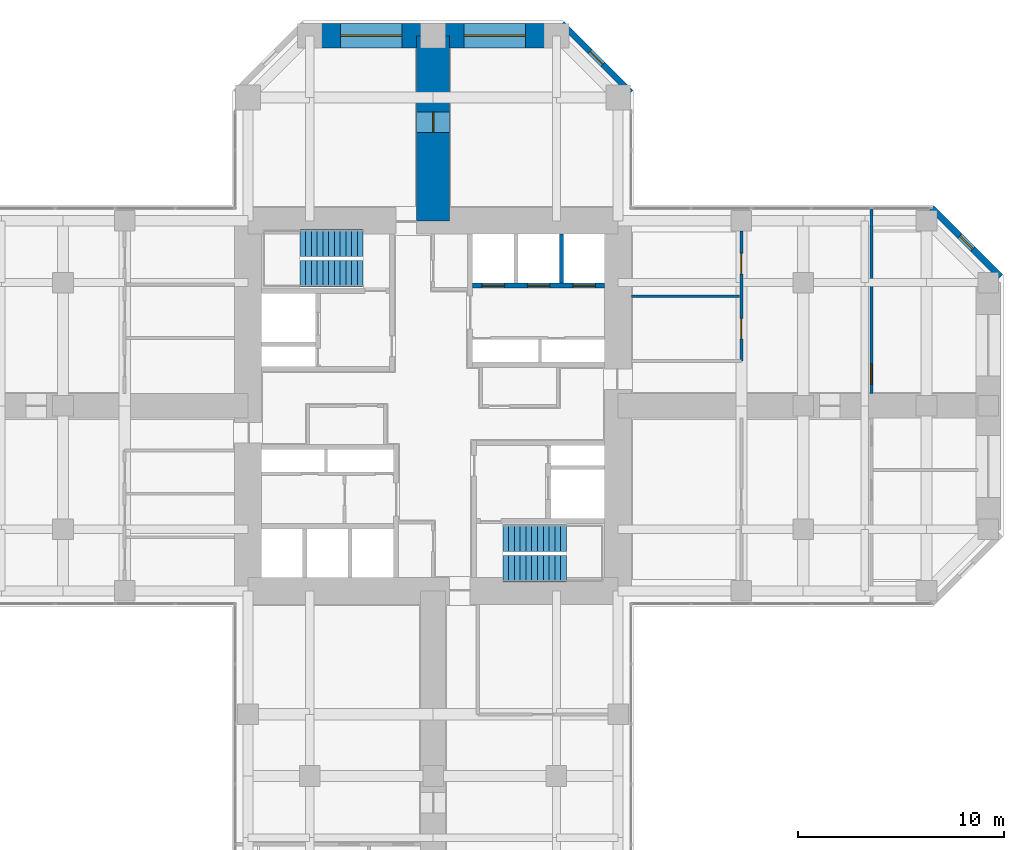
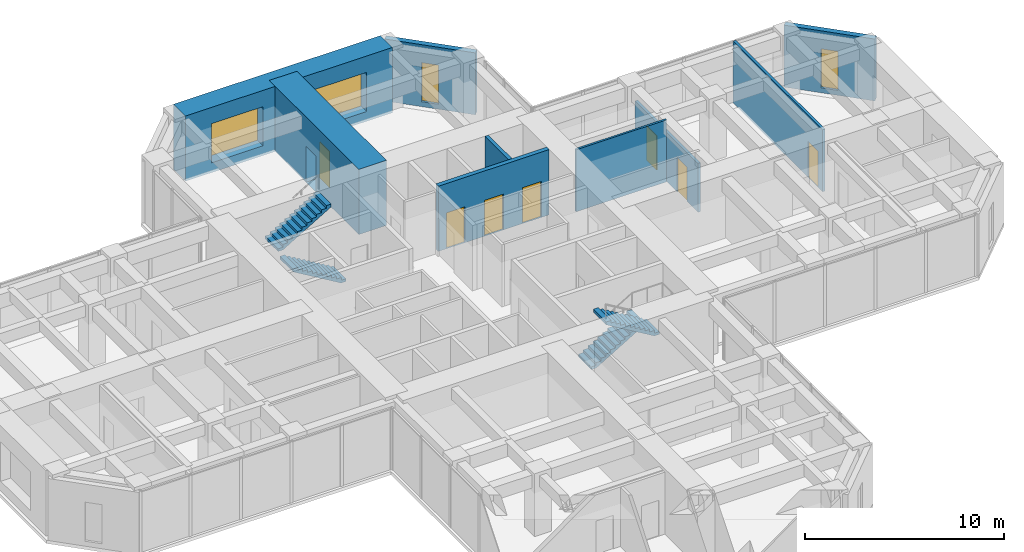
# One storey, part 11 of 12: 9 walls, 7 doors, 4 stair flights, 4 windows, 11 openings, 2 elements without a shape of their own.
"""IFC4 building model written with IfcOpenShell, lengths in metres."""

from ifc_helpers import new_model, si_unit, direction, frame, frame_2d, origin, place, context, subcontext, project, spatial, polyline, rectangle, hollow_rectangle, outline, extrude, material, layer, layer_set, constituent, constituent_set, type_object, element, fill, aggregate, save


model = new_model("IFC4")

# Units and contexts
model_context = context("Model", 3, precision=1e-05, world=origin(), true_north=direction((0.0, 1.0)))
body_context = subcontext(model_context, "Body", "Model", "MODEL_VIEW")
ifc_project = project(units=[si_unit("LENGTHUNIT", "METRE"), si_unit("AREAUNIT", "SQUARE_METRE"), si_unit("VOLUMEUNIT", "CUBIC_METRE"), si_unit("PLANEANGLEUNIT", "RADIAN"), si_unit("MASSUNIT", "GRAM", prefix="KILO")], contexts=[model_context])

# Site, building, storey
site_placement = place(None, origin())
site = spatial("IfcSite", under=ifc_project, at=site_placement, CompositionType="ELEMENT")
building_placement = place(site_placement, origin())
building = spatial("IfcBuilding", under=site, at=building_placement, Name="Torre Cruceta", CompositionType="ELEMENT")
storey_placement = place(building_placement, frame((0.0, 0.0, 112.5)))
storey = spatial("IfcBuildingStorey", under=building, at=storey_placement, Name="L27", CompositionType="ELEMENT", Elevation=112.5)

# Wall, openings, doors
ifc_material_1 = material(Name="Concrete G60 (fck 60 MPa)", Category="concrete")
ifc_layer_1 = layer(ifc_material_1, 0.25)
ifc_layer_set_1 = layer_set([ifc_layer_1], Name="Concrete G60 (fck 60 MPa)")
wall_type_1 = type_object("IfcWallType", Name="CORE INNER WALL 250 G60", PredefinedType="SHEAR", material=ifc_layer_set_1)
wall_1_placement = place(storey_placement, frame((1.925048828125, 5.85009765625, 0.0), z_axis=(0.0, 0.0, 1.0), x_axis=(1.0, 0.0, 0.0)))
wall_1 = element("IfcWall", 1, at=wall_1_placement, inside=storey, type_object=wall_type_1, Name="CW4 L27 NE-LV", PredefinedType="SHEAR", context=body_context, shape_type="SweptSolid", body=[
    extrude(rectangle(XDim=6.425048828125, YDim=0.25, at=frame_2d((3.21240234375, 0.0))), origin(), (0.0, 0.0, 1.0), 4.0),
])
opening_1_placement = place(wall_1_placement, frame((0.4541015625, 0.0, 0.0)))
opening_1 = element("IfcOpeningElement", 2, at=opening_1_placement, cuts=wall_1, Name="Opening LD1", PredefinedType="OPENING", context=body_context, shape_type="SweptSolid", body=[
    extrude(rectangle(XDim=1.10009765625, YDim=2.199951171875, at=frame_2d((0.550048828125, 1.10009765625))), frame((0.0, 0.135009765625, 0.0), z_axis=(0.0, -1.0, 0.0), x_axis=(1.0, 0.0, 0.0)), (0.0, 0.0, 1.0), 0.27001953125),
])
opening_2_placement = place(wall_1_placement, frame((2.66259765625, 0.0, 0.0)))
opening_2 = element("IfcOpeningElement", 3, at=opening_2_placement, cuts=wall_1, Name="Opening LD1", PredefinedType="OPENING", context=body_context, shape_type="SweptSolid", body=[
    extrude(rectangle(XDim=1.10009765625, YDim=2.199951171875, at=frame_2d((0.550048828125, 1.10009765625))), frame((0.0, 0.135009765625, 0.0), z_axis=(0.0, -1.0, 0.0), x_axis=(1.0, 0.0, 0.0)), (0.0, 0.0, 1.0), 0.27001953125),
])
opening_3_placement = place(wall_1_placement, frame((4.870849609375, 0.0, 0.0)))
opening_3 = element("IfcOpeningElement", 4, at=opening_3_placement, cuts=wall_1, Name="Opening LD1", PredefinedType="OPENING", context=body_context, shape_type="SweptSolid", body=[
    extrude(rectangle(XDim=1.10009765625, YDim=2.199951171875, at=frame_2d((0.550048828125, 1.10009765625))), frame((0.0, 0.135009765625, 0.0), z_axis=(0.0, -1.0, 0.0), x_axis=(1.0, 0.0, 0.0)), (0.0, 0.0, 1.0), 0.27001953125),
])
ifc_material_2 = material(Name="Stainless steel 1.4401", Category="steel")
door_type_1 = type_object("IfcDoorType", Name="LIFT LANDING DOOR 1100X2200", OperationType="DOUBLE_DOOR_SLIDING", PredefinedType="DOOR", material=ifc_material_2)
door_1_placement = place(opening_1_placement, origin())
door_1 = element("IfcDoor", 5, at=door_1_placement, inside=storey, type_object=door_type_1, Name="Lift landing door P1", OperationType="DOUBLE_DOOR_SLIDING", OverallHeight=2.199951171875, OverallWidth=1.10009765625, PredefinedType="DOOR", context=body_context, shape_type="SweptSolid", body=[
    extrude(rectangle(XDim=1.10009765625, YDim=2.199951171875, at=frame_2d((0.550048828125, 1.10009765625))), frame((0.0, 0.02490234375, 0.0), z_axis=(0.0, -1.0, 0.0), x_axis=(1.0, 0.0, 0.0)), (0.0, 0.0, 1.0), 0.050048828125),
])
fill(opening_1, door_1)
door_2_placement = place(opening_2_placement, origin())
door_2 = element("IfcDoor", 6, at=door_2_placement, inside=storey, type_object=door_type_1, Name="Lift landing door P2", OperationType="DOUBLE_DOOR_SLIDING", OverallHeight=2.199951171875, OverallWidth=1.10009765625, PredefinedType="DOOR", context=body_context, shape_type="SweptSolid", body=[
    extrude(rectangle(XDim=1.10009765625, YDim=2.199951171875, at=frame_2d((0.550048828125, 1.10009765625))), frame((0.0, 0.02490234375, 0.0), z_axis=(0.0, -1.0, 0.0), x_axis=(1.0, 0.0, 0.0)), (0.0, 0.0, 1.0), 0.050048828125),
])
fill(opening_2, door_2)
door_3_placement = place(opening_3_placement, origin())
door_3 = element("IfcDoor", 7, at=door_3_placement, inside=storey, type_object=door_type_1, Name="Lift landing door P3", OperationType="DOUBLE_DOOR_SLIDING", OverallHeight=2.199951171875, OverallWidth=1.10009765625, PredefinedType="DOOR", context=body_context, shape_type="SweptSolid", body=[
    extrude(rectangle(XDim=1.10009765625, YDim=2.199951171875, at=frame_2d((0.550048828125, 1.10009765625))), frame((0.0, 0.02490234375, 0.0), z_axis=(0.0, -1.0, 0.0), x_axis=(1.0, 0.0, 0.0)), (0.0, 0.0, 1.0), 0.050048828125),
])
fill(opening_3, door_3)

# Wall, opening, window
ifc_material_3 = material(Name="Concrete G30 (fck 30 MPa)", Category="concrete")
ifc_layer_2 = layer(ifc_material_3, 0.300048828125)
ifc_layer_set_2 = layer_set([ifc_layer_2], Name="Concrete G30 (fck 30 MPa)")
wall_type_2 = type_object("IfcWallType", Name="EXPOSED CONCRETE FACADE WALL 300", PredefinedType="SOLIDWALL", material=ifc_layer_set_2)
wall_2_placement = place(storey_placement, frame((27.60009765625, 6.27685546875, 0.0), z_axis=(0.0, 0.0, 1.0), x_axis=(-0.707106781187, 0.707106781187, 0.0)))
wall_2 = element("IfcWall", 8, at=wall_2_placement, inside=storey, type_object=wall_type_2, Name="EW1 facade wall L27 E chamfer 03", PredefinedType="SOLIDWALL", context=body_context, shape_type="SweptSolid", body=[
    extrude(rectangle(XDim=4.72802734375, YDim=0.300048828125, at=frame_2d((2.364013671875, 0.0))), origin(), (0.0, 0.0, 1.0), 3.800048828125),
])
opening_4_placement = place(wall_2_placement, frame((1.9140625, 0.0, 0.300048828125)))
opening_4 = element("IfcOpeningElement", 9, at=opening_4_placement, cuts=wall_2, Name="Opening WN5", PredefinedType="OPENING", context=body_context, shape_type="SweptSolid", body=[
    extrude(rectangle(XDim=0.89990234375, YDim=2.39990234375, at=frame_2d((0.449951171875, 1.199951171875))), frame((0.0, 0.159912109375, 0.0), z_axis=(0.0, -1.0, 0.0), x_axis=(1.0, 0.0, 0.0)), (0.0, 0.0, 1.0), 0.320068359375),
])
ifc_material_4 = material(Name="Aluminium window frame", Category="aluminium")
ifc_constituent_1 = constituent(ifc_material_4, Name="Frame")
ifc_material_5 = material(Name="Laminated insulating glass unit, low-iron clear", Category="glass")
ifc_constituent_2 = constituent(ifc_material_5, Name="Glazing")
ifc_constituent_set_1 = constituent_set(constituents=[ifc_constituent_1, ifc_constituent_2], Name="Aluminium window")
window_type_1 = type_object("IfcWindowType", Name="CHAMFER SLOT WINDOW 900X2400", PartitioningType="SINGLE_PANEL", PredefinedType="WINDOW", material=ifc_constituent_set_1)
window_1_placement = place(opening_4_placement, origin())
window_1 = element("IfcWindow", 10, at=window_1_placement, inside=storey, type_object=window_type_1, Name="WN5 L27 E 1", OverallHeight=2.39990234375, OverallWidth=0.89990234375, PartitioningType="SINGLE_PANEL", PredefinedType="WINDOW", context=body_context, shape_type="SweptSolid", body=[
    extrude(hollow_rectangle(XDim=0.89990234375, YDim=2.39990234375, WallThickness=0.06005859375, at=frame_2d((0.449951171875, 1.199951171875))), frame((0.0, 0.030029296875, 0.0), z_axis=(0.0, -1.0, 0.0), x_axis=(1.0, 0.0, 0.0)), (0.0, 0.0, 1.0), 0.06005859375),
    extrude(rectangle(XDim=0.77880859375, YDim=2.27880859375, at=frame_2d((0.449951171875, 1.199951171875))), frame((0.0, 0.030029296875, 0.0), z_axis=(0.0, -1.0, 0.0), x_axis=(1.0, 0.0, 0.0)), (0.0, 0.0, 1.0), 0.06005859375),
])
fill(opening_4, window_1)

wall_3_placement = place(storey_placement, frame((9.6201171875, 15.2568359375, 0.0), z_axis=(0.0, 0.0, 1.0), x_axis=(-0.707106781187, 0.707106781187, 0.0)))
wall_3 = element("IfcWall", 11, at=wall_3_placement, inside=storey, type_object=wall_type_2, Name="EW1 facade wall L27 N chamfer 06", PredefinedType="SOLIDWALL", context=body_context, shape_type="SweptSolid", body=[
    extrude(rectangle(XDim=4.72802734375, YDim=0.300048828125, at=frame_2d((2.364013671875, 0.0))), origin(), (0.0, 0.0, 1.0), 3.800048828125),
])
opening_5_placement = place(wall_3_placement, frame((1.9140625, 0.0, 0.300048828125)))
opening_5 = element("IfcOpeningElement", 12, at=opening_5_placement, cuts=wall_3, Name="Opening WN5", PredefinedType="OPENING", context=body_context, shape_type="SweptSolid", body=[
    extrude(rectangle(XDim=0.89990234375, YDim=2.39990234375, at=frame_2d((0.449951171875, 1.199951171875))), frame((0.0, 0.159912109375, 0.0), z_axis=(0.0, -1.0, 0.0), x_axis=(1.0, 0.0, 0.0)), (0.0, 0.0, 1.0), 0.320068359375),
])
window_2_placement = place(opening_5_placement, origin())
window_2 = element("IfcWindow", 13, at=window_2_placement, inside=storey, type_object=window_type_1, Name="WN5 L27 N 1", OverallHeight=2.39990234375, OverallWidth=0.89990234375, PartitioningType="SINGLE_PANEL", PredefinedType="WINDOW", context=body_context, shape_type="SweptSolid", body=[
    extrude(hollow_rectangle(XDim=0.89990234375, YDim=2.39990234375, WallThickness=0.06005859375, at=frame_2d((0.449951171875, 1.199951171875))), frame((0.0, 0.030029296875, 0.0), z_axis=(0.0, -1.0, 0.0), x_axis=(1.0, 0.0, 0.0)), (0.0, 0.0, 1.0), 0.06005859375),
    extrude(rectangle(XDim=0.77880859375, YDim=2.27880859375, at=frame_2d((0.449951171875, 1.199951171875))), frame((0.0, 0.030029296875, 0.0), z_axis=(0.0, -1.0, 0.0), x_axis=(1.0, 0.0, 0.0)), (0.0, 0.0, 1.0), 0.06005859375),
])
fill(opening_5, window_2)

# Wall
ifc_material_6 = material(Name="Concrete G35 (fck 35 MPa)", Category="concrete")
ifc_layer_3 = layer(ifc_material_6, 0.199951171875)
ifc_layer_set_3 = layer_set([ifc_layer_3], Name="Concrete G35 (fck 35 MPa)")
wall_type_3 = type_object("IfcWallType", Name="LIFT SHAFT WALL 200", PredefinedType="PARTITIONING", material=ifc_layer_set_3)
wall_4_placement = place(storey_placement, frame((6.24169921875, 5.97509765625, 0.0), z_axis=(0.0, 0.0, 1.0), x_axis=(0.0, 1.0, 0.0)))
element("IfcWall", 14, at=wall_4_placement, inside=storey, type_object=wall_type_3, Name="SW1 L27 NE-LS2", PredefinedType="PARTITIONING", context=body_context, shape_type="SweptSolid", body=[
    extrude(rectangle(XDim=2.375, YDim=0.199951171875, at=frame_2d((1.1875, 0.0))), origin(), (0.0, 0.0, 1.0), 4.0),
])

# Wall, openings, windows
ifc_material_7 = material(Name="Concrete G60 (fck 60 MPa)", Category="concrete")
ifc_layer_4 = layer(ifc_material_7, 1.199951171875)
ifc_layer_set_4 = layer_set([ifc_layer_4], Name="Concrete G60 (fck 60 MPa)")
wall_type_4 = type_object("IfcWallType", Name="NOSE WALL 1200 G60", PredefinedType="SHEAR", material=ifc_layer_set_4)
wall_5_placement = place(storey_placement, frame((6.0, 18.0, 0.0), z_axis=(0.0, 0.0, 1.0), x_axis=(-1.0, 0.0, 0.0)))
wall_5 = element("IfcWall", 15, at=wall_5_placement, inside=storey, type_object=wall_type_4, Name="NW1 nose wall L27 N", PredefinedType="SHEAR", context=body_context, shape_type="SweptSolid", body=[
    extrude(rectangle(XDim=12.0, YDim=1.199951171875, at=frame_2d((6.0, 0.0))), origin(), (0.0, 0.0, 1.0), 4.0),
])
opening_6_placement = place(wall_5_placement, frame((1.5, 0.0, 0.60009765625)))
opening_6 = element("IfcOpeningElement", 16, at=opening_6_placement, cuts=wall_5, Name="Opening WN6", PredefinedType="OPENING", context=body_context, shape_type="SweptSolid", body=[
    extrude(rectangle(XDim=3.0, YDim=2.39990234375, at=frame_2d((1.5, 1.199951171875))), frame((0.0, 0.60986328125, 0.0), z_axis=(0.0, -1.0, 0.0), x_axis=(1.0, 0.0, 0.0)), (0.0, 0.0, 1.0), 1.219970703125),
])
opening_7_placement = place(wall_5_placement, frame((7.5, 0.0, 0.60009765625)))
opening_7 = element("IfcOpeningElement", 17, at=opening_7_placement, cuts=wall_5, Name="Opening WN6", PredefinedType="OPENING", context=body_context, shape_type="SweptSolid", body=[
    extrude(rectangle(XDim=3.0, YDim=2.39990234375, at=frame_2d((1.5, 1.199951171875))), frame((0.0, 0.60986328125, 0.0), z_axis=(0.0, -1.0, 0.0), x_axis=(1.0, 0.0, 0.0)), (0.0, 0.0, 1.0), 1.219970703125),
])
ifc_material_8 = material(Name="Aluminium window frame", Category="aluminium")
ifc_constituent_3 = constituent(ifc_material_8, Name="Frame")
ifc_material_9 = material(Name="Laminated insulating glass unit, low-iron clear", Category="glass")
ifc_constituent_4 = constituent(ifc_material_9, Name="Glazing")
ifc_constituent_set_2 = constituent_set(constituents=[ifc_constituent_3, ifc_constituent_4], Name="Aluminium window")
window_type_2 = type_object("IfcWindowType", Name="NOSE WALL WINDOW 3000X2400", PartitioningType="SINGLE_PANEL", PredefinedType="WINDOW", material=ifc_constituent_set_2)
window_3_placement = place(opening_6_placement, origin())
window_3 = element("IfcWindow", 18, at=window_3_placement, inside=storey, type_object=window_type_2, Name="WN6 L27 N 1", OverallHeight=2.39990234375, OverallWidth=3.0, PartitioningType="SINGLE_PANEL", PredefinedType="WINDOW", context=body_context, shape_type="SweptSolid", body=[
    extrude(hollow_rectangle(XDim=3.0, YDim=2.39990234375, WallThickness=0.06005859375, at=frame_2d((1.5, 1.199951171875))), frame((0.0, 0.030029296875, 0.0), z_axis=(0.0, -1.0, 0.0), x_axis=(1.0, 0.0, 0.0)), (0.0, 0.0, 1.0), 0.06005859375),
    extrude(rectangle(XDim=2.87890625, YDim=2.27880859375, at=frame_2d((1.5, 1.199951171875))), frame((0.0, 0.030029296875, 0.0), z_axis=(0.0, -1.0, 0.0), x_axis=(1.0, 0.0, 0.0)), (0.0, 0.0, 1.0), 0.06005859375),
])
fill(opening_6, window_3)
window_4_placement = place(opening_7_placement, origin())
window_4 = element("IfcWindow", 19, at=window_4_placement, inside=storey, type_object=window_type_2, Name="WN6 L27 N 2", OverallHeight=2.39990234375, OverallWidth=3.0, PartitioningType="SINGLE_PANEL", PredefinedType="WINDOW", context=body_context, shape_type="SweptSolid", body=[
    extrude(hollow_rectangle(XDim=3.0, YDim=2.39990234375, WallThickness=0.06005859375, at=frame_2d((1.5, 1.199951171875))), frame((0.0, 0.030029296875, 0.0), z_axis=(0.0, -1.0, 0.0), x_axis=(1.0, 0.0, 0.0)), (0.0, 0.0, 1.0), 0.06005859375),
    extrude(rectangle(XDim=2.87890625, YDim=2.27880859375, at=frame_2d((1.5, 1.199951171875))), frame((0.0, 0.030029296875, 0.0), z_axis=(0.0, -1.0, 0.0), x_axis=(1.0, 0.0, 0.0)), (0.0, 0.0, 1.0), 0.06005859375),
])
fill(opening_7, window_4)

# Wall, openings, doors
ifc_material_10 = material(Name="Plasterboard on steel studs", Category="steel")
ifc_layer_5 = layer(ifc_material_10, 0.14990234375)
ifc_layer_set_5 = layer_set([ifc_layer_5], Name="Plasterboard on steel studs")
wall_type_5 = type_object("IfcWallType", Name="PARTITION 150", PredefinedType="PARTITIONING", material=ifc_layer_set_5)
wall_6_placement = place(storey_placement, frame((15.0, 2.175048828125, 0.0), z_axis=(0.0, 0.0, 1.0), x_axis=(0.0, 1.0, 0.0)))
wall_6 = element("IfcWall", 20, at=wall_6_placement, inside=storey, type_object=wall_type_5, Name="PT1 L27-E-BFL", PredefinedType="PARTITIONING", context=body_context, shape_type="SweptSolid", body=[
    extrude(rectangle(XDim=6.324951171875, YDim=0.14990234375, at=frame_2d((3.16259765625, 0.0))), origin(), (0.0, 0.0, 1.0), 3.0),
])
opening_8_placement = place(wall_6_placement, frame((1.081298828125, 0.0, 0.0)))
opening_8 = element("IfcOpeningElement", 21, at=opening_8_placement, cuts=wall_6, Name="Opening D3", PredefinedType="OPENING", context=body_context, shape_type="SweptSolid", body=[
    extrude(rectangle(XDim=1.0, YDim=2.10009765625, at=frame_2d((0.5, 1.050048828125))), frame((0.0, 0.0849609375, 0.0), z_axis=(0.0, -1.0, 0.0), x_axis=(1.0, 0.0, 0.0)), (0.0, 0.0, 1.0), 0.169921875),
])
opening_9_placement = place(wall_6_placement, frame((4.243896484375, 0.0, 0.0)))
opening_9 = element("IfcOpeningElement", 22, at=opening_9_placement, cuts=wall_6, Name="Opening D3", PredefinedType="OPENING", context=body_context, shape_type="SweptSolid", body=[
    extrude(rectangle(XDim=1.0, YDim=2.10009765625, at=frame_2d((0.5, 1.050048828125))), frame((0.0, 0.0849609375, 0.0), z_axis=(0.0, -1.0, 0.0), x_axis=(1.0, 0.0, 0.0)), (0.0, 0.0, 1.0), 0.169921875),
])
ifc_material_11 = material(Name="Steel DX51D", Category="steel")
ifc_constituent_5 = constituent(ifc_material_11, Name="Leaf and frame")
ifc_material_12 = material(Name="Polyester powder coating", Category="paint")
ifc_constituent_6 = constituent(ifc_material_12, Name="Finish")
ifc_constituent_set_3 = constituent_set(constituents=[ifc_constituent_5, ifc_constituent_6], Name="Steel fire door")
door_type_2 = type_object("IfcDoorType", Name="FIRE DOOR 1000X2100", OperationType="SINGLE_SWING_LEFT", PredefinedType="DOOR", material=ifc_constituent_set_3)
door_4_placement = place(opening_8_placement, origin())
door_4 = element("IfcDoor", 23, at=door_4_placement, inside=storey, type_object=door_type_2, Name="D3 L27-E-BFL-D1", OperationType="SINGLE_SWING_LEFT", OverallHeight=2.10009765625, OverallWidth=1.0, PredefinedType="DOOR", context=body_context, shape_type="SweptSolid", body=[
    extrude(rectangle(XDim=1.0, YDim=2.10009765625, at=frame_2d((0.5, 1.050048828125))), frame((0.0, 0.02490234375, 0.0), z_axis=(0.0, -1.0, 0.0), x_axis=(1.0, 0.0, 0.0)), (0.0, 0.0, 1.0), 0.050048828125),
])
fill(opening_8, door_4)
door_5_placement = place(opening_9_placement, origin())
door_5 = element("IfcDoor", 24, at=door_5_placement, inside=storey, type_object=door_type_2, Name="D3 L27-E-BFL-D2", OperationType="SINGLE_SWING_LEFT", OverallHeight=2.10009765625, OverallWidth=1.0, PredefinedType="DOOR", context=body_context, shape_type="SweptSolid", body=[
    extrude(rectangle(XDim=1.0, YDim=2.10009765625, at=frame_2d((0.5, 1.050048828125))), frame((0.0, 0.02490234375, 0.0), z_axis=(0.0, -1.0, 0.0), x_axis=(1.0, 0.0, 0.0)), (0.0, 0.0, 1.0), 0.050048828125),
])
fill(opening_9, door_5)

# Wall, opening, door
wall_7_placement = place(storey_placement, frame((21.320068359375, 0.60009765625, 0.0), z_axis=(0.0, 0.0, 1.0), x_axis=(0.0, 1.0, 0.0)))
wall_7 = element("IfcWall", 25, at=wall_7_placement, inside=storey, type_object=wall_type_5, Name="PT1 L27-E-TWL", PredefinedType="PARTITIONING", context=body_context, shape_type="SweptSolid", body=[
    extrude(rectangle(XDim=8.97998046875, YDim=0.14990234375, at=frame_2d((4.489990234375, 0.0))), origin(), (0.0, 0.0, 1.0), 3.800048828125),
])
opening_10_placement = place(wall_7_placement, frame((0.449951171875, 0.0, 0.0)))
opening_10 = element("IfcOpeningElement", 26, at=opening_10_placement, cuts=wall_7, Name="Opening D14", PredefinedType="OPENING", context=body_context, shape_type="SweptSolid", body=[
    extrude(rectangle(XDim=1.0, YDim=2.199951171875, at=frame_2d((0.5, 1.10009765625))), frame((0.0, 0.0849609375, 0.0), z_axis=(0.0, -1.0, 0.0), x_axis=(1.0, 0.0, 0.0)), (0.0, 0.0, 1.0), 0.169921875),
])
ifc_material_13 = material(Name="Steel DX51D", Category="steel")
ifc_constituent_7 = constituent(ifc_material_13, Name="Leaf and frame")
ifc_material_14 = material(Name="Polyester powder coating", Category="paint")
ifc_constituent_8 = constituent(ifc_material_14, Name="Finish")
ifc_material_15 = material(Name="Fire-resisting glass", Category="glass")
ifc_constituent_9 = constituent(ifc_material_15, Name="Vision panel")
ifc_constituent_set_4 = constituent_set(constituents=[ifc_constituent_7, ifc_constituent_8, ifc_constituent_9], Name="Steel fire door with vision panel")
door_type_3 = type_object("IfcDoorType", Name="FIRE DOOR VISION PANEL 1000X2200", OperationType="SINGLE_SWING_RIGHT", PredefinedType="DOOR", material=ifc_constituent_set_4)
door_6_placement = place(opening_10_placement, frame((1.0, 0.0, 0.0), z_axis=(0.0, 0.0, 1.0), x_axis=(-1.0, 0.0, 0.0)))
door_6 = element("IfcDoor", 27, at=door_6_placement, inside=storey, type_object=door_type_3, Name="D14 L27-E-TWL-D1", OperationType="SINGLE_SWING_RIGHT", OverallHeight=2.199951171875, OverallWidth=1.0, PredefinedType="DOOR", context=body_context, shape_type="SweptSolid", body=[
    extrude(rectangle(XDim=1.0, YDim=2.199951171875, at=frame_2d((0.5, 1.10009765625))), frame((0.0, 0.025146484375, 0.0), z_axis=(0.0, -1.0, 0.0), x_axis=(1.0, 0.0, 0.0)), (0.0, 0.0, 1.0), 0.050048828125),
])
fill(opening_10, door_6)

ifc_material_16 = material(Name="Concrete G60 (fck 60 MPa)", Category="concrete")
ifc_layer_6 = layer(ifc_material_16, 1.60009765625)
ifc_layer_set_6 = layer_set([ifc_layer_6], Name="Concrete G60 (fck 60 MPa)")
wall_type_6 = type_object("IfcWallType", Name="SPINE WALL 1600 G60", PredefinedType="SHEAR", material=ifc_layer_set_6)
wall_8_placement = place(storey_placement, frame((0.0, 9.0, 0.0), z_axis=(0.0, 0.0, 1.0), x_axis=(0.0, 1.0, 0.0)))
wall_8 = element("IfcWall", 28, at=wall_8_placement, inside=storey, type_object=wall_type_6, Name="SW2 spine wall L27 N", PredefinedType="SHEAR", context=body_context, shape_type="SweptSolid", body=[
    extrude(rectangle(XDim=9.0, YDim=1.60009765625, at=frame_2d((4.5, 0.0))), origin(), (0.0, 0.0, 1.0), 4.0),
])
opening_11_placement = place(wall_8_placement, frame((4.300048828125, 0.0, 0.0)))
opening_11 = element("IfcOpeningElement", 29, at=opening_11_placement, cuts=wall_8, Name="Opening D14", PredefinedType="OPENING", context=body_context, shape_type="SweptSolid", body=[
    extrude(rectangle(XDim=1.0, YDim=2.199951171875, at=frame_2d((0.5, 1.10009765625))), frame((0.0, 0.81005859375, 0.0), z_axis=(0.0, -1.0, 0.0), x_axis=(1.0, 0.0, 0.0)), (0.0, 0.0, 1.0), 1.6201171875),
])
door_7_placement = place(opening_11_placement, frame((1.0, 0.0, 0.0), z_axis=(0.0, 0.0, 1.0), x_axis=(-1.0, 0.0, 0.0)))
door_7 = element("IfcDoor", 30, at=door_7_placement, inside=storey, type_object=door_type_3, Name="D14 L27-N-SP1", OperationType="SINGLE_SWING_LEFT", OverallHeight=2.199951171875, OverallWidth=1.0, PredefinedType="DOOR", context=body_context, shape_type="SweptSolid", body=[
    extrude(rectangle(XDim=1.0, YDim=2.199951171875, at=frame_2d((0.5, 1.10009765625))), frame((0.0, 0.025146484375, 0.0), z_axis=(0.0, -1.0, 0.0), x_axis=(1.0, 0.0, 0.0)), (0.0, 0.0, 1.0), 0.050048828125),
])
fill(opening_11, door_7)

# Wall
ifc_material_17 = material(Name="Plasterboard on steel studs", Category="steel")
ifc_layer_7 = layer(ifc_material_17, 0.1201171875)
ifc_layer_set_7 = layer_set([ifc_layer_7], Name="Plasterboard on steel studs")
wall_type_7 = type_object("IfcWallType", Name="WC PARTITION 120", PredefinedType="PLUMBINGWALL", material=ifc_layer_set_7)
wall_9_placement = place(storey_placement, frame((9.64990234375, 5.33740234375, 0.0), z_axis=(0.0, 0.0, 1.0), x_axis=(1.0, 0.0, 0.0)))
element("IfcWall", 31, at=wall_9_placement, inside=storey, type_object=wall_type_7, Name="PT5 L27-E-BDL1", PredefinedType="PLUMBINGWALL", context=body_context, shape_type="SweptSolid", body=[
    extrude(rectangle(XDim=5.25, YDim=0.1201171875, at=frame_2d((2.625, 0.0))), origin(), (0.0, 0.0, 1.0), 3.800048828125),
])

# Stair, stair flights
ifc_material_18 = material(Name="Concrete G30 (fck 30 MPa)", Category="concrete")
stair_type = type_object("IfcStairType", Name="STAIR HALF-TURN 1300", PredefinedType="HALF_TURN_STAIR", material=ifc_material_18)
stair_1_placement = place(storey_placement, origin())
stair_1 = element("IfcStair", 32, at=stair_1_placement, inside=storey, type_object=stair_type, Name="Stair ST1 L27", PredefinedType="HALF_TURN_STAIR")
ifc_material_19 = material(Name="Concrete G30 (fck 30 MPa)", Category="concrete")
stair_flight_type = type_object("IfcStairFlightType", Name="STAIR FLIGHT 1300", PredefinedType="STRAIGHT", material=ifc_material_19)
stair_flight_1_placement = place(storey_placement, frame((-3.39990234375, 6.425048828125, 0.0), z_axis=(0.0, 0.0, 1.0), x_axis=(-1.0, 0.0, 0.0)))
stair_flight_1 = element("IfcStairFlight", 33, at=stair_flight_1_placement, type_object=stair_flight_type, Name="ST1 flight 1", NumberOfRisers=12, NumberOfTreads=11, PredefinedType="STRAIGHT", RiserHeight=0.166666667, TreadLength=0.28, context=body_context, shape_type="SweptSolid", body=[
    extrude(outline(polyline([(0.0, 0.0), (0.0, 0.166748046875), (0.280029296875, 0.166748046875), (0.280029296875, 0.333251953125), (0.56005859375, 0.333251953125), (0.56005859375, 0.5), (0.840087890625, 0.5), (0.840087890625, 0.666748046875), (1.1201171875, 0.666748046875), (1.1201171875, 0.833251953125), (1.39990234375, 0.833251953125), (1.39990234375, 1.0), (1.679931640625, 1.0), (1.679931640625, 1.166748046875), (1.9599609375, 1.166748046875), (1.9599609375, 1.333251953125), (2.239990234375, 1.333251953125), (2.239990234375, 1.5), (2.52001953125, 1.5), (2.52001953125, 1.666748046875), (2.800048828125, 1.666748046875), (2.800048828125, 1.833251953125), (3.080078125, 1.833251953125), (3.080078125, 2.0), (3.080078125, 1.658935546875), (0.29296875, 0.0), (0.0, 0.0)])), frame((0.0, 0.64990234375, 0.0), z_axis=(0.0, -1.0, 0.0), x_axis=(1.0, 0.0, 0.0)), (0.0, 0.0, 1.0), 1.300048828125),
])
stair_flight_2_placement = place(storey_placement, frame((-6.47998046875, 7.925048828125, 2.0), z_axis=(0.0, 0.0, 1.0), x_axis=(1.0, 0.0, 0.0)))
stair_flight_2 = element("IfcStairFlight", 34, at=stair_flight_2_placement, type_object=stair_flight_type, Name="ST1 flight 2", NumberOfRisers=12, NumberOfTreads=11, PredefinedType="STRAIGHT", RiserHeight=0.166666667, TreadLength=0.28, context=body_context, shape_type="SweptSolid", body=[
    extrude(outline(polyline([(0.0, 0.0), (0.0, 0.166748046875), (0.280029296875, 0.166748046875), (0.280029296875, 0.333251953125), (0.56005859375, 0.333251953125), (0.56005859375, 0.5), (0.840087890625, 0.5), (0.840087890625, 0.666748046875), (1.1201171875, 0.666748046875), (1.1201171875, 0.833251953125), (1.39990234375, 0.833251953125), (1.39990234375, 1.0), (1.679931640625, 1.0), (1.679931640625, 1.166748046875), (1.9599609375, 1.166748046875), (1.9599609375, 1.333251953125), (2.239990234375, 1.333251953125), (2.239990234375, 1.5), (2.52001953125, 1.5), (2.52001953125, 1.666748046875), (2.800048828125, 1.666748046875), (2.800048828125, 1.833251953125), (3.080078125, 1.833251953125), (3.080078125, 2.0), (3.080078125, 1.658935546875), (0.29296875, 0.0), (0.0, 0.0)])), frame((0.0, 0.64990234375, 0.0), z_axis=(0.0, -1.0, 0.0), x_axis=(1.0, 0.0, 0.0)), (0.0, 0.0, 1.0), 1.300048828125),
])
aggregate(stair_1, [stair_flight_1, stair_flight_2])

stair_2_placement = place(storey_placement, origin())
stair_2 = element("IfcStair", 35, at=stair_2_placement, inside=storey, type_object=stair_type, Name="Stair ST2 L27", PredefinedType="HALF_TURN_STAIR")
stair_flight_3_placement = place(storey_placement, frame((3.39990234375, -6.425048828125, 0.0), z_axis=(0.0, 0.0, 1.0), x_axis=(1.0, 0.0, 0.0)))
stair_flight_3 = element("IfcStairFlight", 36, at=stair_flight_3_placement, type_object=stair_flight_type, Name="ST2 flight 1", NumberOfRisers=12, NumberOfTreads=11, PredefinedType="STRAIGHT", RiserHeight=0.166666667, TreadLength=0.28, context=body_context, shape_type="SweptSolid", body=[
    extrude(outline(polyline([(0.0, 0.0), (0.0, 0.166748046875), (0.280029296875, 0.166748046875), (0.280029296875, 0.333251953125), (0.56005859375, 0.333251953125), (0.56005859375, 0.5), (0.840087890625, 0.5), (0.840087890625, 0.666748046875), (1.1201171875, 0.666748046875), (1.1201171875, 0.833251953125), (1.39990234375, 0.833251953125), (1.39990234375, 1.0), (1.679931640625, 1.0), (1.679931640625, 1.166748046875), (1.9599609375, 1.166748046875), (1.9599609375, 1.333251953125), (2.239990234375, 1.333251953125), (2.239990234375, 1.5), (2.52001953125, 1.5), (2.52001953125, 1.666748046875), (2.800048828125, 1.666748046875), (2.800048828125, 1.833251953125), (3.080078125, 1.833251953125), (3.080078125, 2.0), (3.080078125, 1.658935546875), (0.29296875, 0.0), (0.0, 0.0)])), frame((0.0, 0.64990234375, 0.0), z_axis=(0.0, -1.0, 0.0), x_axis=(1.0, 0.0, 0.0)), (0.0, 0.0, 1.0), 1.300048828125),
])
stair_flight_4_placement = place(storey_placement, frame((6.47998046875, -7.925048828125, 2.0), z_axis=(0.0, 0.0, 1.0), x_axis=(-1.0, 0.0, 0.0)))
stair_flight_4 = element("IfcStairFlight", 37, at=stair_flight_4_placement, type_object=stair_flight_type, Name="ST2 flight 2", NumberOfRisers=12, NumberOfTreads=11, PredefinedType="STRAIGHT", RiserHeight=0.166666667, TreadLength=0.28, context=body_context, shape_type="SweptSolid", body=[
    extrude(outline(polyline([(0.0, 0.0), (0.0, 0.166748046875), (0.280029296875, 0.166748046875), (0.280029296875, 0.333251953125), (0.56005859375, 0.333251953125), (0.56005859375, 0.5), (0.840087890625, 0.5), (0.840087890625, 0.666748046875), (1.1201171875, 0.666748046875), (1.1201171875, 0.833251953125), (1.39990234375, 0.833251953125), (1.39990234375, 1.0), (1.679931640625, 1.0), (1.679931640625, 1.166748046875), (1.9599609375, 1.166748046875), (1.9599609375, 1.333251953125), (2.239990234375, 1.333251953125), (2.239990234375, 1.5), (2.52001953125, 1.5), (2.52001953125, 1.666748046875), (2.800048828125, 1.666748046875), (2.800048828125, 1.833251953125), (3.080078125, 1.833251953125), (3.080078125, 2.0), (3.080078125, 1.658935546875), (0.29296875, 0.0), (0.0, 0.0)])), frame((0.0, 0.64990234375, 0.0), z_axis=(0.0, -1.0, 0.0), x_axis=(1.0, 0.0, 0.0)), (0.0, 0.0, 1.0), 1.300048828125),
])
aggregate(stair_2, [stair_flight_3, stair_flight_4])

save(model, "model.ifc")
